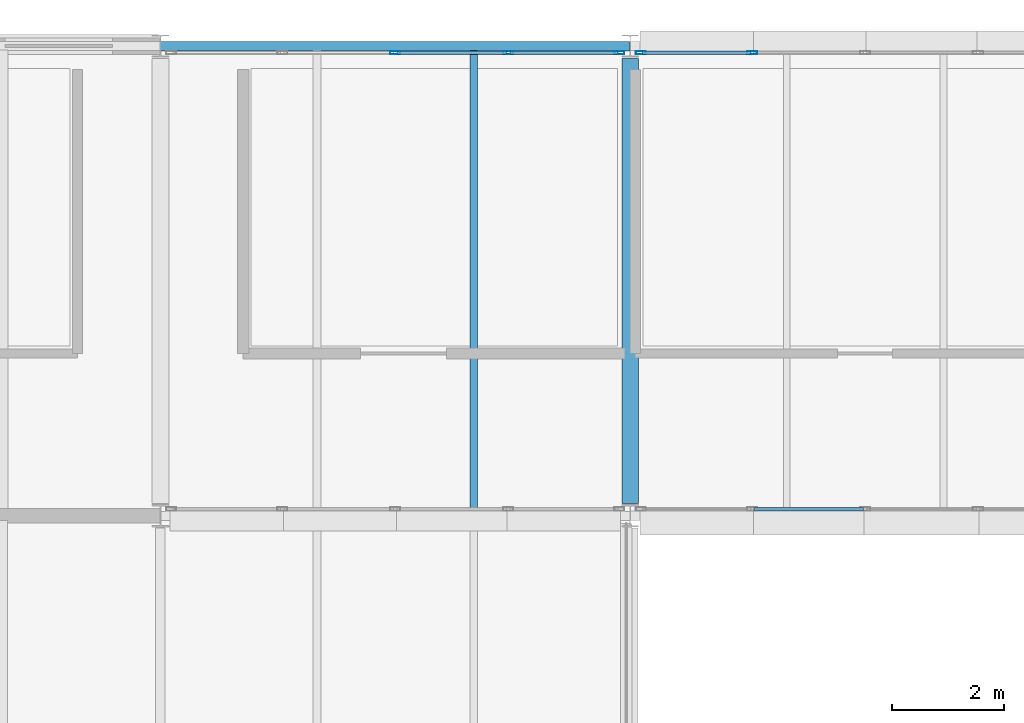
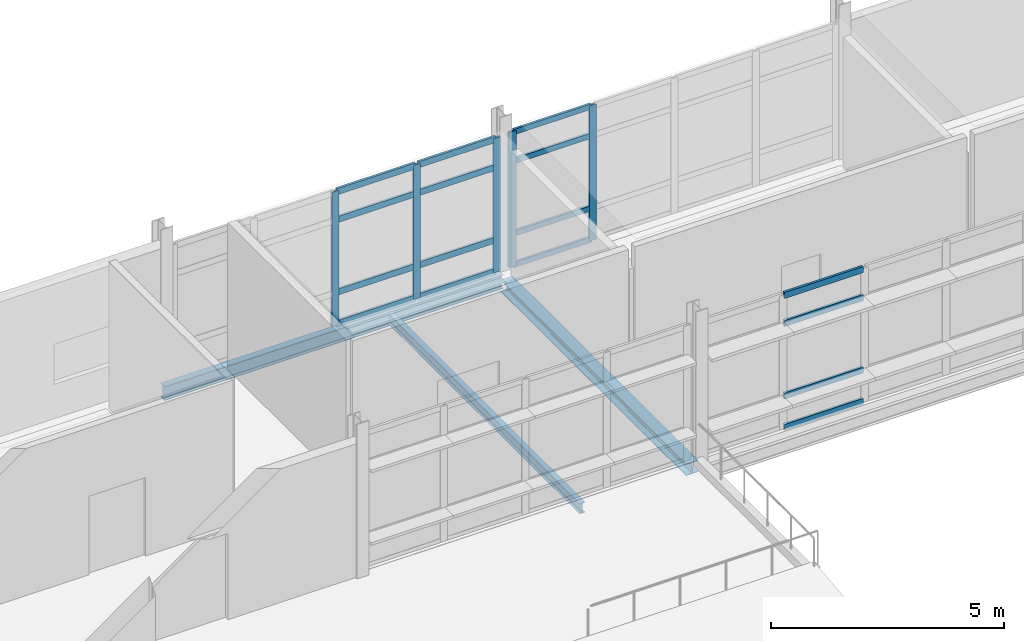
# One storey, part 23 of 66: 21 members, 3 beams, 3 elements without a shape of their own.
"""IFC4 building model written with IfcOpenShell, lengths in metres."""

from ifc_helpers import new_model, si_unit, direction, frame, origin, origin_2d, place, context, subcontext, project, spatial, hollow_rectangle, i_section, extrude, material, material_profile, profile_set, type_object, element, aggregate, save


model = new_model("IFC4")

# Units and contexts
model_context = context("Model", 3, precision=1e-05, world=origin(), true_north=direction((0.0, 1.0)))
body_context = subcontext(model_context, "Body", "Model", "MODEL_VIEW")
ifc_project = project(units=[si_unit("LENGTHUNIT", "METRE"), si_unit("AREAUNIT", "SQUARE_METRE"), si_unit("VOLUMEUNIT", "CUBIC_METRE"), si_unit("PLANEANGLEUNIT", "RADIAN"), si_unit("MASSUNIT", "GRAM", prefix="KILO")], contexts=[model_context])

# Site, building, storey
site_placement = place(None, origin())
site = spatial("IfcSite", under=ifc_project, at=site_placement, CompositionType="ELEMENT")
building_placement = place(site_placement, origin())
building = spatial("IfcBuilding", under=site, at=building_placement, Name="Mersafa Astral City Hall", CompositionType="ELEMENT")
storey_placement = place(building_placement, frame((0.0, 0.0, 22.050048828125)))
storey = spatial("IfcBuildingStorey", under=building, at=storey_placement, Name="L05", CompositionType="ELEMENT", Elevation=22.050048828125)

# Curtain wall, members
ifc_material_1 = material(Name="Anodised bronze aluminium framing", Category="aluminium")
curtain_wall_type_1 = type_object("IfcCurtainWallType", Name="ENV-CW-2", PredefinedType="USERDEFINED", material=ifc_material_1)
curtain_wall_1_placement = place(storey_placement, origin())
curtain_wall_1 = element("IfcCurtainWall", 1, at=curtain_wall_1_placement, inside=storey, type_object=curtain_wall_type_1, Name="L05 Unitised solar curtain wall 229", ObjectType="UNITISED CURTAIN WALL", PredefinedType="USERDEFINED")
ifc_material_profile_1 = material_profile(ifc_material_1, hollow_rectangle(XDim=0.06005859375, YDim=0.179931640625, WallThickness=0.00390625, at=origin_2d()), Name="RHS 60x180x4")
ifc_profile_set_1 = profile_set([ifc_material_profile_1], Name="Anodised bronze aluminium framing")
member_type_1 = type_object("IfcMemberType", Name="ENV-CW-MUL-1", PredefinedType="MULLION", material=ifc_profile_set_1)
member_1_placement = place(storey_placement, frame((119.781005859375, 125.8798828125, -0.001953125), z_axis=(0.0, 0.0, 1.0), x_axis=(0.0, -1.0, 0.0)))
member_1 = element("IfcMember", 2, at=member_1_placement, type_object=member_type_1, Name="CW-2 mullion 4", PredefinedType="MULLION", context=body_context, shape_type="SweptSolid", body=[
    extrude(hollow_rectangle(XDim=0.06005859375, YDim=0.179931640625, WallThickness=0.00390625, at=origin_2d()), origin(), (0.0, 0.0, 1.0), 3.5439453125),
])
member_2_placement = place(storey_placement, frame((117.7919921875, 125.8798828125, -0.001953125), z_axis=(0.0, 0.0, 1.0), x_axis=(0.0, -1.0, 0.0)))
member_2 = element("IfcMember", 3, at=member_2_placement, type_object=member_type_1, Name="CW-2 mullion 5", PredefinedType="MULLION", context=body_context, shape_type="SweptSolid", body=[
    extrude(hollow_rectangle(XDim=0.06005859375, YDim=0.179931640625, WallThickness=0.00390625, at=origin_2d()), origin(), (0.0, 0.0, 1.0), 3.5439453125),
])

curtain_wall_type_2 = type_object("IfcCurtainWallType", Name="ENV-CW-3", PredefinedType="USERDEFINED", material=ifc_material_1)
curtain_wall_2_placement = place(storey_placement, origin())
curtain_wall_2 = element("IfcCurtainWall", 4, at=curtain_wall_2_placement, inside=storey, type_object=curtain_wall_type_2, Name="L05 Unitised solar curtain wall 230", ObjectType="UNITISED CURTAIN WALL", PredefinedType="USERDEFINED")
member_3_placement = place(storey_placement, frame((117.407958984375, 125.8798828125, -0.001953125), z_axis=(0.0, 0.0, 1.0), x_axis=(0.0, -1.0, 0.0)))
member_3 = element("IfcMember", 5, at=member_3_placement, type_object=member_type_1, Name="CW-3 mullion 1", PredefinedType="MULLION", context=body_context, shape_type="SweptSolid", body=[
    extrude(hollow_rectangle(XDim=0.06005859375, YDim=0.179931640625, WallThickness=0.00390625, at=origin_2d()), origin(), (0.0, 0.0, 1.0), 3.513916015625),
])
member_4_placement = place(storey_placement, frame((115.4189453125, 125.8798828125, -0.001953125), z_axis=(0.0, 0.0, 1.0), x_axis=(0.0, -1.0, 0.0)))
member_4 = element("IfcMember", 6, at=member_4_placement, type_object=member_type_1, Name="CW-3 mullion 2", PredefinedType="MULLION", context=body_context, shape_type="SweptSolid", body=[
    extrude(hollow_rectangle(XDim=0.06005859375, YDim=0.179931640625, WallThickness=0.00390625, at=origin_2d()), origin(), (0.0, 0.0, 1.0), 3.513916015625),
])
member_5_placement = place(storey_placement, frame((113.39990234375, 125.8798828125, -0.001953125), z_axis=(0.0, 0.0, 1.0), x_axis=(0.0, -1.0, 0.0)))
member_5 = element("IfcMember", 7, at=member_5_placement, type_object=member_type_1, Name="CW-3 mullion 3", PredefinedType="MULLION", context=body_context, shape_type="SweptSolid", body=[
    extrude(hollow_rectangle(XDim=0.06005859375, YDim=0.179931640625, WallThickness=0.00390625, at=origin_2d()), origin(), (0.0, 0.0, 1.0), 3.513916015625),
])

# Member
ifc_material_profile_2 = material_profile(ifc_material_1, hollow_rectangle(XDim=0.06005859375, YDim=0.139892578125, WallThickness=0.00390625, at=origin_2d()), Name="RHS 60x140x4")
ifc_profile_set_2 = profile_set([ifc_material_profile_2], Name="Anodised bronze aluminium framing")
member_type_2 = type_object("IfcMemberType", Name="ENV-CW-TRN-1", PredefinedType="USERDEFINED", material=ifc_profile_set_2)
member_6_placement = place(storey_placement, frame((119.7509765625, 125.8798828125, 0.02783203125), z_axis=(-1.0, 0.0, 0.0), x_axis=(0.0, -1.0, 0.0)))
member_6 = element("IfcMember", 8, at=member_6_placement, type_object=member_type_2, Name="CW-2 transom 4.1", ObjectType="TRANSOM", PredefinedType="USERDEFINED", context=body_context, shape_type="SweptSolid", body=[
    extrude(hollow_rectangle(XDim=0.06005859375, YDim=0.139892578125, WallThickness=0.00390625, at=origin_2d()), origin(), (0.0, 0.0, 1.0), 1.928955078125),
])

member_7_placement = place(storey_placement, frame((119.7509765625, 125.8798828125, 0.849853515625), z_axis=(-1.0, 0.0, 0.0), x_axis=(0.0, -1.0, 0.0)))
member_7 = element("IfcMember", 9, at=member_7_placement, type_object=member_type_2, Name="CW-2 transom 4.2", ObjectType="TRANSOM", PredefinedType="USERDEFINED", context=body_context, shape_type="SweptSolid", body=[
    extrude(hollow_rectangle(XDim=0.06005859375, YDim=0.139892578125, WallThickness=0.00390625, at=origin_2d()), origin(), (0.0, 0.0, 1.0), 1.928955078125),
])

member_8_placement = place(storey_placement, frame((119.7509765625, 125.8798828125, 2.75), z_axis=(-1.0, 0.0, 0.0), x_axis=(0.0, -1.0, 0.0)))
member_8 = element("IfcMember", 10, at=member_8_placement, type_object=member_type_2, Name="CW-2 transom 4.3", ObjectType="TRANSOM", PredefinedType="USERDEFINED", context=body_context, shape_type="SweptSolid", body=[
    extrude(hollow_rectangle(XDim=0.06005859375, YDim=0.139892578125, WallThickness=0.00390625, at=origin_2d()), origin(), (0.0, 0.0, 1.0), 1.928955078125),
])

member_9_placement = place(storey_placement, frame((119.7509765625, 125.8798828125, 3.511962890625), z_axis=(-1.0, 0.0, 0.0), x_axis=(0.0, -1.0, 0.0)))
member_9 = element("IfcMember", 11, at=member_9_placement, type_object=member_type_2, Name="CW-2 transom 4.4", ObjectType="TRANSOM", PredefinedType="USERDEFINED", context=body_context, shape_type="SweptSolid", body=[
    extrude(hollow_rectangle(XDim=0.06005859375, YDim=0.139892578125, WallThickness=0.00390625, at=origin_2d()), origin(), (0.0, 0.0, 1.0), 1.928955078125),
])

aggregate(curtain_wall_1, [member_1, member_2, member_6, member_7, member_8, member_9])

ifc_material_profile_3 = material_profile(ifc_material_1, hollow_rectangle(XDim=0.06005859375, YDim=0.159912109375, WallThickness=0.00390625, at=origin_2d()), Name="RHS 60x160x4")
ifc_profile_set_3 = profile_set([ifc_material_profile_3], Name="Anodised bronze aluminium framing")
member_type_3 = type_object("IfcMemberType", Name="ENV-CW-TRN-2", PredefinedType="USERDEFINED", material=ifc_profile_set_3)
member_10_placement = place(storey_placement, frame((117.3779296875, 125.8798828125, 0.02783203125), z_axis=(-1.0, 0.0, 0.0), x_axis=(0.0, -1.0, 0.0)))
member_10 = element("IfcMember", 12, at=member_10_placement, type_object=member_type_3, Name="CW-3 transom 1.1", ObjectType="TRANSOM", PredefinedType="USERDEFINED", context=body_context, shape_type="SweptSolid", body=[
    extrude(hollow_rectangle(XDim=0.06005859375, YDim=0.159912109375, WallThickness=0.00390625, at=origin_2d()), origin(), (0.0, 0.0, 1.0), 1.928955078125),
])

member_11_placement = place(storey_placement, frame((117.3779296875, 125.8798828125, 0.849853515625), z_axis=(-1.0, 0.0, 0.0), x_axis=(0.0, -1.0, 0.0)))
member_11 = element("IfcMember", 13, at=member_11_placement, type_object=member_type_3, Name="CW-3 transom 1.2", ObjectType="TRANSOM", PredefinedType="USERDEFINED", context=body_context, shape_type="SweptSolid", body=[
    extrude(hollow_rectangle(XDim=0.06005859375, YDim=0.159912109375, WallThickness=0.00390625, at=origin_2d()), origin(), (0.0, 0.0, 1.0), 1.928955078125),
])

member_12_placement = place(storey_placement, frame((117.3779296875, 125.8798828125, 2.75), z_axis=(-1.0, 0.0, 0.0), x_axis=(0.0, -1.0, 0.0)))
member_12 = element("IfcMember", 14, at=member_12_placement, type_object=member_type_3, Name="CW-3 transom 1.3", ObjectType="TRANSOM", PredefinedType="USERDEFINED", context=body_context, shape_type="SweptSolid", body=[
    extrude(hollow_rectangle(XDim=0.06005859375, YDim=0.159912109375, WallThickness=0.00390625, at=origin_2d()), origin(), (0.0, 0.0, 1.0), 1.928955078125),
])

member_13_placement = place(storey_placement, frame((117.3779296875, 125.8798828125, 3.48193359375), z_axis=(-1.0, 0.0, 0.0), x_axis=(0.0, -1.0, 0.0)))
member_13 = element("IfcMember", 15, at=member_13_placement, type_object=member_type_3, Name="CW-3 transom 1.4", ObjectType="TRANSOM", PredefinedType="USERDEFINED", context=body_context, shape_type="SweptSolid", body=[
    extrude(hollow_rectangle(XDim=0.06005859375, YDim=0.159912109375, WallThickness=0.00390625, at=origin_2d()), origin(), (0.0, 0.0, 1.0), 1.928955078125),
])

member_14_placement = place(storey_placement, frame((115.388916015625, 125.8798828125, 0.02783203125), z_axis=(-1.0, 0.0, 0.0), x_axis=(0.0, -1.0, 0.0)))
member_14 = element("IfcMember", 16, at=member_14_placement, type_object=member_type_3, Name="CW-3 transom 2.1", ObjectType="TRANSOM", PredefinedType="USERDEFINED", context=body_context, shape_type="SweptSolid", body=[
    extrude(hollow_rectangle(XDim=0.06005859375, YDim=0.159912109375, WallThickness=0.00390625, at=origin_2d()), origin(), (0.0, 0.0, 1.0), 1.958984375),
])

member_15_placement = place(storey_placement, frame((115.388916015625, 125.8798828125, 0.849853515625), z_axis=(-1.0, 0.0, 0.0), x_axis=(0.0, -1.0, 0.0)))
member_15 = element("IfcMember", 17, at=member_15_placement, type_object=member_type_3, Name="CW-3 transom 2.2", ObjectType="TRANSOM", PredefinedType="USERDEFINED", context=body_context, shape_type="SweptSolid", body=[
    extrude(hollow_rectangle(XDim=0.06005859375, YDim=0.159912109375, WallThickness=0.00390625, at=origin_2d()), origin(), (0.0, 0.0, 1.0), 1.958984375),
])

member_16_placement = place(storey_placement, frame((115.388916015625, 125.8798828125, 2.75), z_axis=(-1.0, 0.0, 0.0), x_axis=(0.0, -1.0, 0.0)))
member_16 = element("IfcMember", 18, at=member_16_placement, type_object=member_type_3, Name="CW-3 transom 2.3", ObjectType="TRANSOM", PredefinedType="USERDEFINED", context=body_context, shape_type="SweptSolid", body=[
    extrude(hollow_rectangle(XDim=0.06005859375, YDim=0.159912109375, WallThickness=0.00390625, at=origin_2d()), origin(), (0.0, 0.0, 1.0), 1.958984375),
])

member_17_placement = place(storey_placement, frame((115.388916015625, 125.8798828125, 3.48193359375), z_axis=(-1.0, 0.0, 0.0), x_axis=(0.0, -1.0, 0.0)))
member_17 = element("IfcMember", 19, at=member_17_placement, type_object=member_type_3, Name="CW-3 transom 2.4", ObjectType="TRANSOM", PredefinedType="USERDEFINED", context=body_context, shape_type="SweptSolid", body=[
    extrude(hollow_rectangle(XDim=0.06005859375, YDim=0.159912109375, WallThickness=0.00390625, at=origin_2d()), origin(), (0.0, 0.0, 1.0), 1.958984375),
])

aggregate(curtain_wall_2, [member_3, member_4, member_5, member_10, member_11, member_12, member_13, member_14, member_15, member_16, member_17])

# Curtain wall, members
curtain_wall_type_3 = type_object("IfcCurtainWallType", Name="ENV-CW-1", PredefinedType="USERDEFINED", material=ifc_material_1)
curtain_wall_3_placement = place(storey_placement, origin())
curtain_wall_3 = element("IfcCurtainWall", 20, at=curtain_wall_3_placement, inside=storey, type_object=curtain_wall_type_3, Name="L05 Unitised solar curtain wall 240", ObjectType="UNITISED CURTAIN WALL", PredefinedType="USERDEFINED")
member_18_placement = place(storey_placement, frame((119.81103515625, 117.719970703125, 0.02783203125), z_axis=(1.0, 0.0, 0.0), x_axis=(0.0, 1.0, 0.0)))
member_18 = element("IfcMember", 21, at=member_18_placement, type_object=member_type_3, Name="CW-1 transom 2.1", ObjectType="TRANSOM", PredefinedType="USERDEFINED", context=body_context, shape_type="SweptSolid", body=[
    extrude(hollow_rectangle(XDim=0.06005859375, YDim=0.159912109375, WallThickness=0.00390625, at=origin_2d()), origin(), (0.0, 0.0, 1.0), 1.958984375),
])
member_19_placement = place(storey_placement, frame((119.81103515625, 117.719970703125, 0.849853515625), z_axis=(1.0, 0.0, 0.0), x_axis=(0.0, 1.0, 0.0)))
member_19 = element("IfcMember", 22, at=member_19_placement, type_object=member_type_3, Name="CW-1 transom 2.2", ObjectType="TRANSOM", PredefinedType="USERDEFINED", context=body_context, shape_type="SweptSolid", body=[
    extrude(hollow_rectangle(XDim=0.06005859375, YDim=0.159912109375, WallThickness=0.00390625, at=origin_2d()), origin(), (0.0, 0.0, 1.0), 1.958984375),
])
member_20_placement = place(storey_placement, frame((119.81103515625, 117.719970703125, 2.75), z_axis=(1.0, 0.0, 0.0), x_axis=(0.0, 1.0, 0.0)))
member_20 = element("IfcMember", 23, at=member_20_placement, type_object=member_type_3, Name="CW-1 transom 2.3", ObjectType="TRANSOM", PredefinedType="USERDEFINED", context=body_context, shape_type="SweptSolid", body=[
    extrude(hollow_rectangle(XDim=0.06005859375, YDim=0.159912109375, WallThickness=0.00390625, at=origin_2d()), origin(), (0.0, 0.0, 1.0), 1.958984375),
])
member_21_placement = place(storey_placement, frame((119.81103515625, 117.719970703125, 3.48193359375), z_axis=(1.0, 0.0, 0.0), x_axis=(0.0, 1.0, 0.0)))
member_21 = element("IfcMember", 24, at=member_21_placement, type_object=member_type_3, Name="CW-1 transom 2.4", ObjectType="TRANSOM", PredefinedType="USERDEFINED", context=body_context, shape_type="SweptSolid", body=[
    extrude(hollow_rectangle(XDim=0.06005859375, YDim=0.159912109375, WallThickness=0.00390625, at=origin_2d()), origin(), (0.0, 0.0, 1.0), 1.958984375),
])
aggregate(curtain_wall_3, [member_18, member_19, member_20, member_21])

# Beams
ifc_material_2 = material(Name="Steel S355", Category="steel")
ifc_material_profile_4 = material_profile(ifc_material_2, i_section(OverallWidth=0.300048828125, OverallDepth=0.31005859375, WebThickness=0.009033203125, FlangeThickness=0.015380859375, FilletRadius=0.027099609375, at=origin_2d()), Name="HEA 320")
ifc_profile_set_4 = profile_set([ifc_material_profile_4], Name="Steel S355")
beam_type_1 = type_object("IfcBeamType", Name="STR-BM-HEA320", PredefinedType="BEAM", material=ifc_profile_set_4)
beam_1_placement = place(storey_placement, frame((117.60009765625, 117.820068359375, -0.3349609375), z_axis=(0.0, 1.0, 0.0), x_axis=(-1.0, 0.0, 0.0)))
element("IfcBeam", 25, at=beam_1_placement, inside=storey, type_object=beam_type_1, Name="L05 Primary girder Y 14-14", PredefinedType="BEAM", context=body_context, shape_type="SweptSolid", body=[
    extrude(i_section(OverallWidth=0.300048828125, OverallDepth=0.31005859375, WebThickness=0.009033203125, FlangeThickness=0.015380859375, FilletRadius=0.027099609375, at=origin_2d()), origin(), (0.0, 0.0, 1.0), 7.9599609375),
])
ifc_material_profile_5 = material_profile(ifc_material_2, i_section(OverallWidth=0.135009765625, OverallDepth=0.27001953125, WebThickness=0.006591796875, FlangeThickness=0.01025390625, FilletRadius=0.014892578125, at=origin_2d()), Name="IPE 270")
ifc_profile_set_5 = profile_set([ifc_material_profile_5], Name="Steel S355")
beam_type_2 = type_object("IfcBeamType", Name="STR-BM-JOIST-IPE270", PredefinedType="JOIST", material=ifc_profile_set_5)
beam_2_placement = place(storey_placement, frame((114.800048828125, 117.675048828125, -0.31494140625), z_axis=(0.0, 1.0, 0.0), x_axis=(-1.0, 0.0, 0.0)))
element("IfcBeam", 26, at=beam_2_placement, inside=storey, type_object=beam_type_2, Name="L05 Composite secondary floor joist 802", PredefinedType="JOIST", context=body_context, shape_type="SweptSolid", body=[
    extrude(i_section(OverallWidth=0.135009765625, OverallDepth=0.27001953125, WebThickness=0.006591796875, FlangeThickness=0.01025390625, FilletRadius=0.014892578125, at=origin_2d()), origin(), (0.0, 0.0, 1.0), 8.244873046875),
])
ifc_material_profile_6 = material_profile(ifc_material_2, i_section(OverallWidth=0.169921875, OverallDepth=0.360107421875, WebThickness=0.008056640625, FlangeThickness=0.0126953125, FilletRadius=0.01806640625, at=origin_2d()), Name="IPE 360")
ifc_profile_set_6 = profile_set([ifc_material_profile_6], Name="Steel S355")
beam_type_3 = type_object("IfcBeamType", Name="STR-BM-SPANDREL-IPE360", PredefinedType="SPANDREL", material=ifc_profile_set_6)
beam_3_placement = place(storey_placement, frame((109.202880859375, 126.0, -0.360107421875), z_axis=(1.0, 0.0, 0.0), x_axis=(0.0, 1.0, 0.0)))
element("IfcBeam", 27, at=beam_3_placement, inside=storey, type_object=beam_type_3, Name="L05 Primary girder X 13-15", PredefinedType="SPANDREL", context=body_context, shape_type="SweptSolid", body=[
    extrude(i_section(OverallWidth=0.169921875, OverallDepth=0.360107421875, WebThickness=0.008056640625, FlangeThickness=0.0126953125, FilletRadius=0.01806640625, at=origin_2d()), origin(), (0.0, 0.0, 1.0), 8.39404296875),
])

save(model, "model.ifc")
